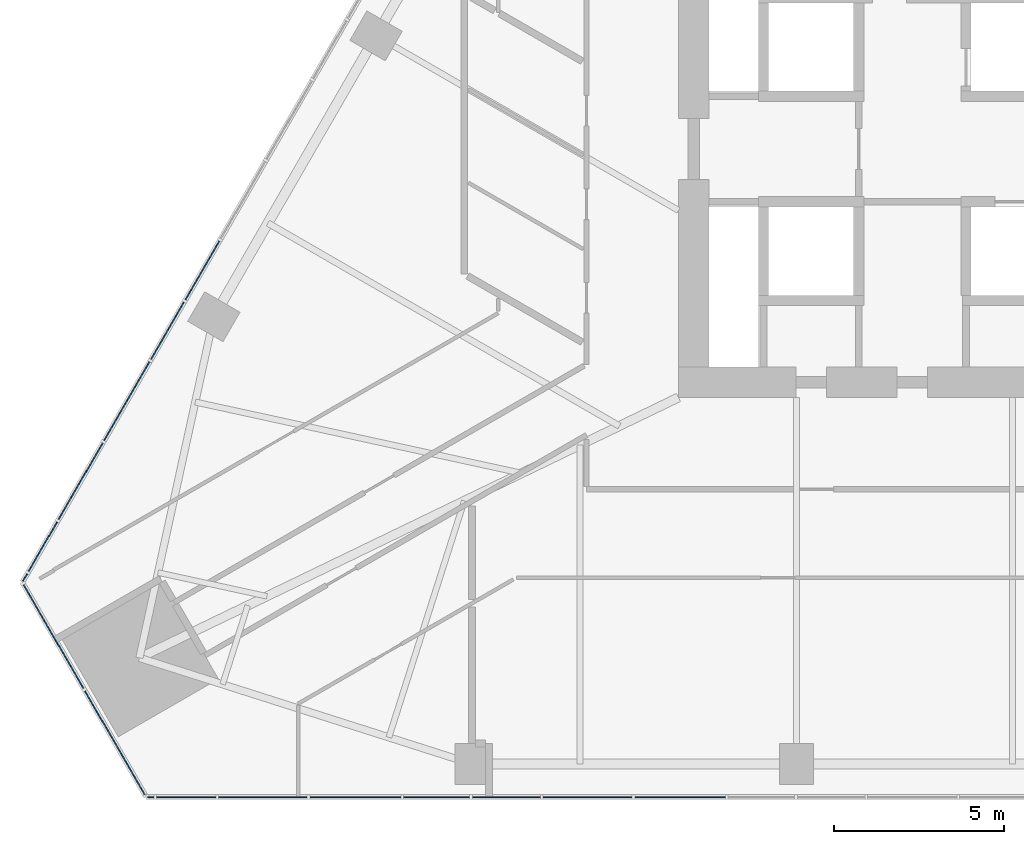
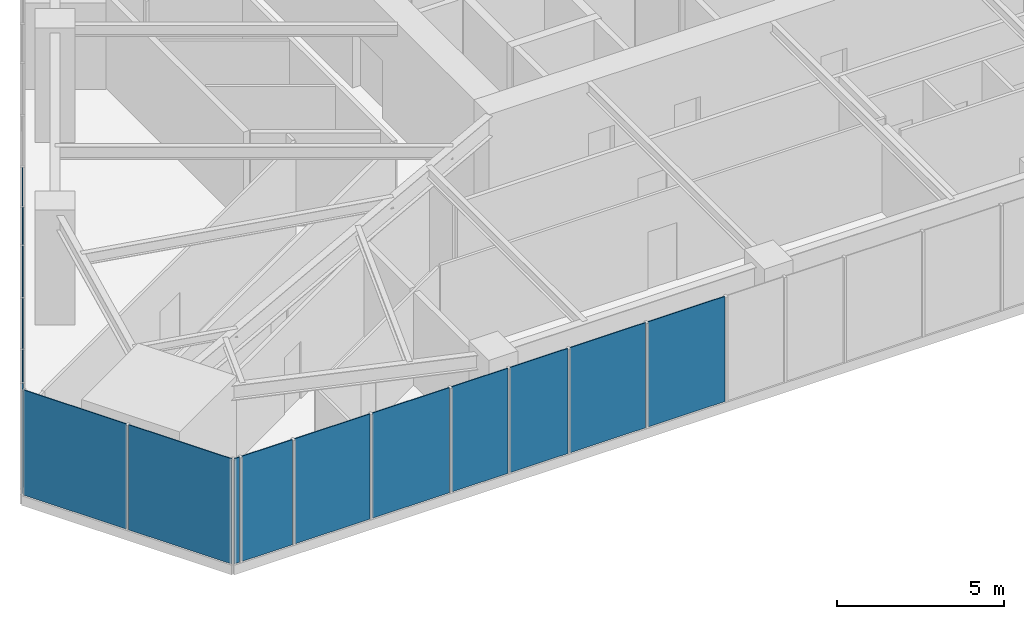
# One storey, part 13 of 26: 16 plates, 3 elements without a shape of their own.
"""IFC4 building model written with IfcOpenShell, lengths in metres."""

from ifc_helpers import new_model, si_unit, direction, frame, origin, place, context, subcontext, project, spatial, polyline, outline, extrude, material, layer, layer_set, type_object, element, aggregate, save


model = new_model("IFC4")

# Units and contexts
model_context = context("Model", 3, precision=1e-05, world=origin(), true_north=direction((0.0, 1.0)))
body_context = subcontext(model_context, "Body", "Model", "MODEL_VIEW")
ifc_project = project(units=[si_unit("LENGTHUNIT", "METRE"), si_unit("AREAUNIT", "SQUARE_METRE"), si_unit("VOLUMEUNIT", "CUBIC_METRE"), si_unit("PLANEANGLEUNIT", "RADIAN"), si_unit("MASSUNIT", "GRAM", prefix="KILO")], contexts=[model_context])

# Site, building, storey
site_placement = place(None, origin())
site = spatial("IfcSite", under=ifc_project, at=site_placement, CompositionType="ELEMENT")
building_placement = place(site_placement, origin())
building = spatial("IfcBuilding", under=site, at=building_placement, Name="Firuza Gate Tower and Library", CompositionType="ELEMENT")
storey_placement = place(building_placement, frame((0.0, 0.0, 65.199951171875)))
storey = spatial("IfcBuildingStorey", under=building, at=storey_placement, Name="L14", CompositionType="ELEMENT", Elevation=65.199951171875)

# Curtain wall, plates
ifc_material_1 = material(Name="Aluminium 6063-T6", Category="aluminium")
ifc_layer_1 = layer(ifc_material_1, 0.14990234375)
ifc_layer_set_1 = layer_set([ifc_layer_1], Name="Corner curtain wall, chamfers")
curtain_wall_type_1 = type_object("IfcCurtainWallType", Name="Corner curtain wall, chamfers", PredefinedType="NOTDEFINED", material=ifc_layer_set_1)
placement = place(storey_placement, origin())
curtain_wall_1 = element("IfcCurtainWall", 1, at=placement, inside=storey, type_object=curtain_wall_type_1, Name="CW4 L14 SW corner", PredefinedType="NOTDEFINED")
ifc_material_2 = material(Name="Fritted glass", Category="glass")
ifc_layer_2 = layer(ifc_material_2, 0.030029296875)
ifc_layer_set_2 = layer_set([ifc_layer_2], Name="Fritted glass unit, corners")
plate_type_1 = type_object("IfcPlateType", Name="Fritted glass unit, corners", PredefinedType="CURTAIN_PANEL", material=ifc_layer_set_2)
plate_1_placement = place(storey_placement, frame((42.717041015625, 60.522216796875, 0.150146484375), z_axis=(-0.866016723041, -0.500015035186, 0.0), x_axis=(0.500015035186, -0.866016723041, 0.0)))
plate_1 = element("IfcPlate", 2, at=plate_1_placement, type_object=plate_type_1, Name="Glass unit", PredefinedType="CURTAIN_PANEL", context=body_context, shape_type="SweptSolid", body=[
    extrude(outline(polyline([(0.0, 0.0), (3.5633694106530625, 0.0), (3.5633694106530625, 3.849853515625), (0.0, 3.849853515625), (0.0, 0.0)])), origin(), (0.0, 0.0, -1.0), 0.030029296875),
])
plate_2_placement = place(storey_placement, frame((44.53857421875, 57.366943359375, 0.150146484375), z_axis=(-0.866016723041, -0.500015035186, 0.0), x_axis=(0.500015035186, -0.866016723041, 0.0)))
plate_2 = element("IfcPlate", 3, at=plate_2_placement, type_object=plate_type_1, Name="Glass unit", PredefinedType="CURTAIN_PANEL", context=body_context, shape_type="SweptSolid", body=[
    extrude(outline(polyline([(0.0, 0.0), (3.5633694106530625, 0.0), (3.5633694106530625, 3.849853515625), (0.0, 3.849853515625), (0.0, 0.0)])), origin(), (0.0, 0.0, -1.0), 0.030029296875),
])
aggregate(curtain_wall_1, [plate_1, plate_2])

ifc_material_3 = material(Name="Aluminium 6063-T6", Category="aluminium")
ifc_layer_3 = layer(ifc_material_3, 0.14990234375)
ifc_layer_set_3 = layer_set([ifc_layer_3], Name="Unitised curtain wall, offices")
curtain_wall_type_2 = type_object("IfcCurtainWallType", Name="Unitised curtain wall, offices", PredefinedType="NOTDEFINED", material=ifc_layer_set_3)
curtain_wall_2 = element("IfcCurtainWall", 4, at=placement, inside=storey, type_object=curtain_wall_type_2, Name="CW1 L14 S face", PredefinedType="NOTDEFINED")
ifc_material_4 = material(Name="Fritted glass", Category="glass")
ifc_layer_4 = layer(ifc_material_4, 0.030029296875)
ifc_layer_set_4 = layer_set([ifc_layer_4], Name="Fritted glass unit, offices")
plate_type_2 = type_object("IfcPlateType", Name="Fritted glass unit, offices", PredefinedType="CURTAIN_PANEL", material=ifc_layer_set_4)
plate_3_placement = place(storey_placement, frame((46.659423828125, 54.239013671875, 0.150146484375), z_axis=(0.0, -1.0, 0.0), x_axis=(1.0, 0.0, 0.0)))
plate_3 = element("IfcPlate", 5, at=plate_3_placement, type_object=plate_type_2, Name="Glass unit", PredefinedType="CURTAIN_PANEL", context=body_context, shape_type="SweptSolid", body=[
    extrude(outline(polyline([(0.0, 0.0), (1.746826171875, 0.0), (1.746826171875, 3.849853515625), (0.0, 3.849853515625), (0.0, 0.0)])), origin(), (0.0, 0.0, -1.0), 0.030029296875),
])
plate_4_placement = place(storey_placement, frame((53.92138671875, 54.239013671875, 0.150146484375), z_axis=(0.0, -1.0, 0.0), x_axis=(1.0, 0.0, 0.0)))
plate_4 = element("IfcPlate", 6, at=plate_4_placement, type_object=plate_type_2, Name="Glass unit", PredefinedType="CURTAIN_PANEL", context=body_context, shape_type="SweptSolid", body=[
    extrude(outline(polyline([(0.0, 0.0), (1.94091796875, 0.0), (1.94091796875, 3.849853515625), (0.0, 3.849853515625), (0.0, 0.0)])), origin(), (0.0, 0.0, -1.0), 0.030029296875),
])
plate_5_placement = place(storey_placement, frame((55.942138671875, 54.239013671875, 0.150146484375), z_axis=(0.0, -1.0, 0.0), x_axis=(1.0, 0.0, 0.0)))
plate_5 = element("IfcPlate", 7, at=plate_5_placement, type_object=plate_type_2, Name="Glass unit", PredefinedType="CURTAIN_PANEL", context=body_context, shape_type="SweptSolid", body=[
    extrude(outline(polyline([(0.0, 0.0), (1.99853515625, 0.0), (1.99853515625, 3.849853515625), (0.0, 3.849853515625), (0.0, 0.0)])), origin(), (0.0, 0.0, -1.0), 0.030029296875),
])

curtain_wall_3 = element("IfcCurtainWall", 8, at=placement, inside=storey, type_object=curtain_wall_type_2, Name="CW1 L14 W face", PredefinedType="NOTDEFINED")
plate_6_placement = place(storey_placement, frame((48.49072265625, 70.60693359375, 0.150146484375), z_axis=(-0.866047269264, 0.499962125966, 0.0), x_axis=(-0.499962125966, -0.866047269264, 0.0)))
plate_6 = element("IfcPlate", 9, at=plate_6_placement, type_object=plate_type_2, Name="Glass unit", PredefinedType="CURTAIN_PANEL", context=body_context, shape_type="SweptSolid", body=[
    extrude(outline(polyline([(0.0, 0.0), (1.9986865528955802, 0.0), (1.9986865528955802, 3.849853515625), (0.0, 3.849853515625), (0.0, 0.0)])), origin(), (0.0, 0.0, -1.0), 0.030029296875),
])
plate_7_placement = place(storey_placement, frame((47.451416015625, 68.806640625, 0.150146484375), z_axis=(-0.865997036079, 0.500049131089, 0.0), x_axis=(-0.500049131089, -0.865997036079, 0.0)))
plate_7 = element("IfcPlate", 10, at=plate_7_placement, type_object=plate_type_2, Name="Glass unit", PredefinedType="CURTAIN_PANEL", context=body_context, shape_type="SweptSolid", body=[
    extrude(outline(polyline([(0.0, 0.0), (1.9407272686632608, 0.0), (1.9407272686632608, 3.849853515625001), (0.0, 3.849853515625001), (0.0, 0.0)])), origin(), (0.0, 0.0, -1.0), 0.030029296875),
])
plate_8_placement = place(storey_placement, frame((43.7236328125, 62.349853515625, 0.150146484375), z_axis=(-0.865992196602, 0.500057512117, 0.0), x_axis=(-0.500057512117, -0.865992196602, 0.0)))
plate_8 = element("IfcPlate", 11, at=plate_8_placement, type_object=plate_type_2, Name="Glass unit", PredefinedType="CURTAIN_PANEL", context=body_context, shape_type="SweptSolid", body=[
    extrude(outline(polyline([(0.0, 0.0), (1.6819354429125748, 0.0), (1.6819354429125748, 3.849853515625), (0.0, 3.849853515625), (0.0, 0.0)])), origin(), (0.0, 0.0, -1.0), 0.030029296875),
])

# Plate
ifc_material_5 = material(Name="Glazed ceramic tile")
ifc_layer_5 = layer(ifc_material_5, 0.030029296875)
ifc_layer_set_5 = layer_set([ifc_layer_5], Name="Opaque ceramic panel, offices")
plate_type_3 = type_object("IfcPlateType", Name="Opaque ceramic panel, offices", PredefinedType="CURTAIN_PANEL", material=ifc_layer_set_5)
plate_9_placement = place(storey_placement, frame((46.393310546875, 54.239013671875, 0.150146484375), z_axis=(0.0, -1.0, 0.0), x_axis=(1.0, 0.0, 0.0)))
plate_9 = element("IfcPlate", 12, at=plate_9_placement, type_object=plate_type_3, Name="Opaque ceramic panel", PredefinedType="CURTAIN_PANEL", context=body_context, shape_type="SweptSolid", body=[
    extrude(outline(polyline([(0.0, 0.0), (0.18603515625, 0.0), (0.18603515625, 3.849853515625), (0.0, 3.849853515625), (0.0, 0.0)])), origin(), (0.0, 0.0, -1.0), 0.030029296875),
])

plate_10_placement = place(storey_placement, frame((48.486328125, 54.239013671875, 0.150146484375), z_axis=(0.0, -1.0, 0.0), x_axis=(1.0, 0.0, 0.0)))
plate_10 = element("IfcPlate", 13, at=plate_10_placement, type_object=plate_type_3, Name="Opaque ceramic panel", PredefinedType="CURTAIN_PANEL", context=body_context, shape_type="SweptSolid", body=[
    extrude(outline(polyline([(0.0, 0.0), (2.6015625, 0.0), (2.6015625, 3.849853515625), (0.0, 3.849853515625), (0.0, 0.0)])), origin(), (0.0, 0.0, -1.0), 0.030029296875),
])

plate_11_placement = place(storey_placement, frame((51.167724609375, 54.239013671875, 0.150146484375), z_axis=(0.0, -1.0, 0.0), x_axis=(1.0, 0.0, 0.0)))
plate_11 = element("IfcPlate", 14, at=plate_11_placement, type_object=plate_type_3, Name="Opaque ceramic panel", PredefinedType="CURTAIN_PANEL", context=body_context, shape_type="SweptSolid", body=[
    extrude(outline(polyline([(0.0, 0.0), (2.673583984375, 0.0), (2.673583984375, 3.849853515625), (0.0, 3.849853515625), (0.0, 0.0)])), origin(), (0.0, 0.0, -1.0), 0.030029296875),
])

plate_12_placement = place(storey_placement, frame((58.020751953125, 54.239013671875, 0.150146484375), z_axis=(0.0, -1.0, 0.0), x_axis=(1.0, 0.0, 0.0)))
plate_12 = element("IfcPlate", 15, at=plate_12_placement, type_object=plate_type_3, Name="Opaque ceramic panel", PredefinedType="CURTAIN_PANEL", context=body_context, shape_type="SweptSolid", body=[
    extrude(outline(polyline([(0.0, 0.0), (2.615966796875, 0.0), (2.615966796875, 3.849853515625), (0.0, 3.849853515625), (0.0, 0.0)])), origin(), (0.0, 0.0, -1.0), 0.030029296875),
])

plate_13_placement = place(storey_placement, frame((60.716552734375, 54.239013671875, 0.150146484375), z_axis=(0.0, -1.0, 0.0), x_axis=(1.0, 0.0, 0.0)))
plate_13 = element("IfcPlate", 16, at=plate_13_placement, type_object=plate_type_3, Name="Opaque ceramic panel", PredefinedType="CURTAIN_PANEL", context=body_context, shape_type="SweptSolid", body=[
    extrude(outline(polyline([(0.0, 0.0), (2.659423828125, 0.0), (2.659423828125, 3.849853515625), (0.0, 3.849853515625), (0.0, 0.0)])), origin(), (0.0, 0.0, -1.0), 0.030029296875),
])

aggregate(curtain_wall_2, [plate_9, plate_3, plate_10, plate_11, plate_4, plate_5, plate_12, plate_13])

plate_14_placement = place(storey_placement, frame((46.441162109375, 67.056640625, 0.150146484375), z_axis=(-0.86600919026, 0.500028081597, 0.0), x_axis=(-0.500028081597, -0.86600919026, 0.0)))
plate_14 = element("IfcPlate", 17, at=plate_14_placement, type_object=plate_type_3, Name="Opaque ceramic panel", PredefinedType="CURTAIN_PANEL", context=body_context, shape_type="SweptSolid", body=[
    extrude(outline(polyline([(0.0, 0.0), (2.67367796270729, 0.0), (2.67367796270729, 3.849853515625), (0.0, 3.849853515625), (0.0, 0.0)])), origin(), (0.0, 0.0, -1.0), 0.030029296875),
])

plate_15_placement = place(storey_placement, frame((45.064208984375, 64.671875, 0.150146484375), z_axis=(-0.866016800201, 0.500014901547, 0.0), x_axis=(-0.500014901547, -0.866016800201, 0.0)))
plate_15 = element("IfcPlate", 18, at=plate_15_placement, type_object=plate_type_3, Name="Opaque ceramic panel", PredefinedType="CURTAIN_PANEL", context=body_context, shape_type="SweptSolid", body=[
    extrude(outline(polyline([(0.0, 0.0), (2.601484967700258, 0.0), (2.601484967700258, 3.849853515625), (0.0, 3.849853515625), (0.0, 0.0)])), origin(), (0.0, 0.0, -1.0), 0.030029296875),
])

plate_16_placement = place(storey_placement, frame((42.842529296875, 60.823974609375, 0.150146484375), z_axis=(-0.866201770413, 0.499694399542, 0.0), x_axis=(-0.499694399542, -0.866201770413, 0.0)))
plate_16 = element("IfcPlate", 19, at=plate_16_placement, type_object=plate_type_3, Name="Opaque ceramic panel", PredefinedType="CURTAIN_PANEL", context=body_context, shape_type="SweptSolid", body=[
    extrude(outline(polyline([(0.0, 0.0), (0.25113005341856437, 0.0), (0.25113005341856437, 3.849853515625), (0.0, 3.849853515625), (0.0, 0.0)])), origin(), (0.0, 0.0, -1.0), 0.030029296875),
])

aggregate(curtain_wall_3, [plate_6, plate_7, plate_14, plate_15, plate_8, plate_16])

save(model, "model.ifc")
